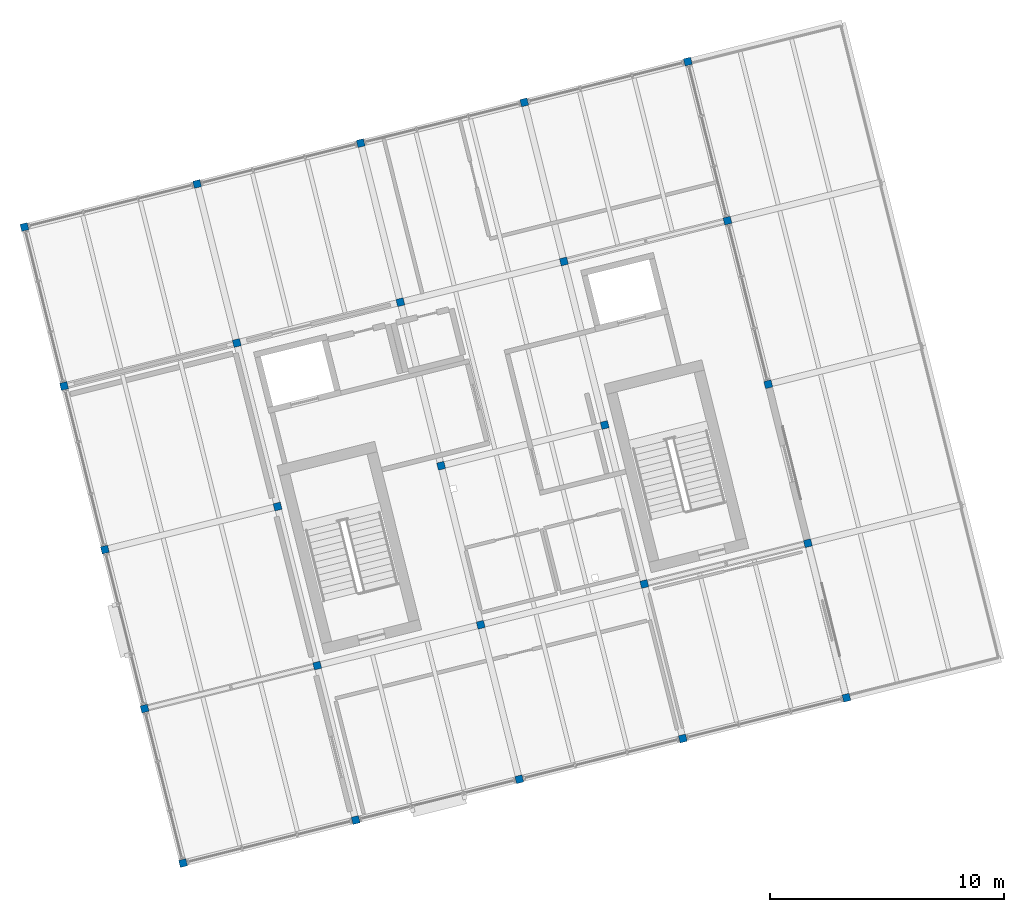
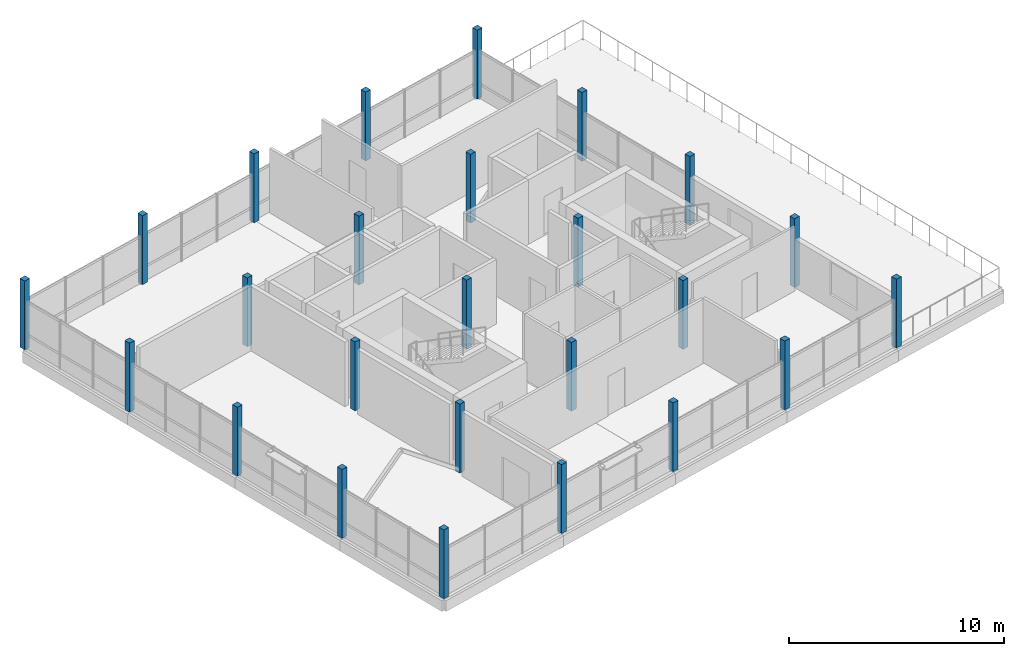
# One storey, part 1 of 24: 25 columns.
"""IFC4 building model written with IfcOpenShell, lengths in metres."""

from ifc_helpers import new_model, si_unit, direction, frame, origin, origin_2d, place, context, subcontext, project, spatial, rectangle, extrude, material, material_profile, profile_set, type_object, element, save


model = new_model("IFC4")

# Units and contexts
model_context = context("Model", 3, precision=1e-05, world=origin(), true_north=direction((0.0, 1.0)))
body_context = subcontext(model_context, "Body", "Model", "MODEL_VIEW")
ifc_project = project(units=[si_unit("LENGTHUNIT", "METRE"), si_unit("AREAUNIT", "SQUARE_METRE"), si_unit("VOLUMEUNIT", "CUBIC_METRE"), si_unit("PLANEANGLEUNIT", "RADIAN"), si_unit("MASSUNIT", "GRAM", prefix="KILO")], contexts=[model_context])

# Site, building, storey
site_placement = place(None, origin())
site = spatial("IfcSite", under=ifc_project, at=site_placement, CompositionType="ELEMENT")
building_placement = place(site_placement, origin())
building = spatial("IfcBuilding", under=site, at=building_placement, Name="Meriwether Solvik Hall", CompositionType="ELEMENT")
storey_placement = place(building_placement, frame((0.0, 0.0, 57.300048828125)))
storey = spatial("IfcBuildingStorey", under=building, at=storey_placement, Name="L14", CompositionType="ELEMENT", Elevation=57.300048828125)

# Columns
ifc_material = material(Name="Glulam Douglas-Fir L2 GL28c", Category="wood")
ifc_material_profile = material_profile(ifc_material, rectangle(XDim=0.31494140625, YDim=0.31494140625, at=origin_2d()), Name="GLC-315X315")
ifc_profile_set = profile_set([ifc_material_profile], Name="Glulam Douglas-Fir L2 GL28c")
column_type = type_object("IfcColumnType", Name="COL-GL-315X315", PredefinedType="COLUMN", material=ifc_profile_set)
for number, where, z_axis, x_axis, name in (
    (1, (68.60009765625, 41.199951171875, 0.0), (0.0, 0.0, 1.0), (0.970295726276, 0.2419218956, 0.0), "Tower Column T1/TA (L14)"),
    (2, (66.954833984375, 47.798095703125, 0.0), (0.0, 0.0, 1.0), (0.970295726276, 0.2419218956, 0.0), "Tower Column T1/TB (L14)"),
    (3, (65.261474609375, 54.590087890625, 0.0), (0.0, 0.0, 1.0), (0.970295726276, 0.2419218956, 0.0), "Tower Column T1/TC (L14)"),
    (4, (63.51953125, 61.576171875, 0.0), (0.0, 0.0, 1.0), (0.970295726276, 0.2419218956, 0.0), "Tower Column T1/TD (L14)"),
    (5, (61.826171875, 68.3681640625, 0.0), (0.0, 0.0, 1.0), (0.970295726276, 0.2419218956, 0.0), "Tower Column T1/TE (L14)"),
    (6, (75.974365234375, 43.03857421875, 0.0), (0.0, 0.0, 1.0), (0.970295726276, 0.2419218956, 0.0), "Tower Column T2/TA (L14)"),
    (7, (74.3291015625, 49.63671875, 0.0), (0.0, 0.0, 1.0), (0.970295726276, 0.2419218956, 0.0), "Tower Column T2/TB (L14)"),
    (8, (72.6357421875, 56.4287109375, 0.0), (0.0, 0.0, 1.0), (0.970295726276, 0.2419218956, 0.0), "Tower Column T2/TC (L14)"),
    (9, (70.893798828125, 63.414794921875, 0.0), (0.0, 0.0, 1.0), (0.970295726276, 0.2419218956, 0.0), "Tower Column T2/TD (L14)"),
    (10, (69.200439453125, 70.206787109375, 0.0), (0.0, 0.0, 1.0), (0.970295726276, 0.2419218956, 0.0), "Tower Column T2/TE (L14)"),
    (11, (82.96044921875, 44.780517578125, 0.0), (0.0, 0.0, 1.0), (0.970295726276, 0.2419218956, 0.0), "Tower Column T3/TA (L14)"),
    (12, (81.3154296875, 51.37841796875, 0.0), (0.0, 0.0, 1.0), (0.970295726276, 0.2419218956, 0.0), "Tower Column T3/TB (L14)"),
    (13, (79.621826171875, 58.17041015625, 0.0), (0.0, 0.0, 1.0), (0.970295726276, 0.2419218956, 0.0), "Tower Column T3/TC (L14)"),
    (14, (77.880126953125, 65.15673828125, 0.0), (0.0, 0.0, 1.0), (0.970295726276, 0.2419218956, 0.0), "Tower Column T3/TD (L14)"),
    (15, (76.1865234375, 71.94873046875, 0.0), (0.0, 0.0, 1.0), (0.970295726276, 0.2419218956, 0.0), "Tower Column T3/TE (L14)"),
    (16, (89.946533203125, 46.522216796875, 0.0), (0.0, 0.0, 1.0), (0.970295726276, 0.2419218956, 0.0), "Tower Column T4/TA (L14)"),
    (17, (88.301513671875, 53.120361328125, 0.0), (0.0, 0.0, 1.0), (0.970295726276, 0.2419218956, 0.0), "Tower Column T4/TB (L14)"),
    (18, (86.60791015625, 59.912353515625, 0.0), (0.0, 0.0, 1.0), (0.970295726276, 0.2419218956, 0.0), "Tower Column T4/TC (L14)"),
    (19, (84.8662109375, 66.8984375, 0.0), (0.0, 0.0, 1.0), (0.970295726276, 0.2419218956, 0.0), "Tower Column T4/TD (L14)"),
    (20, (83.172607421875, 73.690673828125, 0.0), (0.0, 0.0, 1.0), (0.970295726276, 0.2419218956, 0.0), "Tower Column T4/TE (L14)"),
    (21, (96.9326171875, 48.26416015625, 0.0), (0.0, 0.0, 1.0), (0.970295726276, 0.2419218956, 0.0), "Tower Column T5/TA (L14)"),
    (22, (95.28759765625, 54.862060546875, 0.0), (0.0, 0.0, 1.0), (0.970295726276, 0.2419218956, 0.0), "Tower Column T5/TB (L14)"),
    (23, (93.593994140625, 61.654296875, 0.0), (0.0, 0.0, 1.0), (0.970295726276, 0.2419218956, 0.0), "Tower Column T5/TC (L14)"),
    (24, (91.852294921875, 68.640380859375, 0.0), (0.0, 0.0, 1.0), (0.970295726276, 0.2419218956, 0.0), "Tower Column T5/TD (L14)"),
    (25, (90.158935546875, 75.432373046875, 0.0), (0.0, 0.0, 1.0), (0.970295726276, 0.2419218956, 0.0), "Tower Column T5/TE (L14)"),
):
    element("IfcColumn", number, at=place(storey_placement, frame(where, z_axis=z_axis, x_axis=x_axis)), inside=storey, type_object=column_type, Name=name, PredefinedType="COLUMN", context=body_context, shape_type="SweptSolid", body=[
        extrude(rectangle(XDim=0.31494140625, YDim=0.31494140625, at=origin_2d()), origin(), (0.0, 0.0, 1.0), 3.89990234375),
    ])

save(model, "model.ifc")
